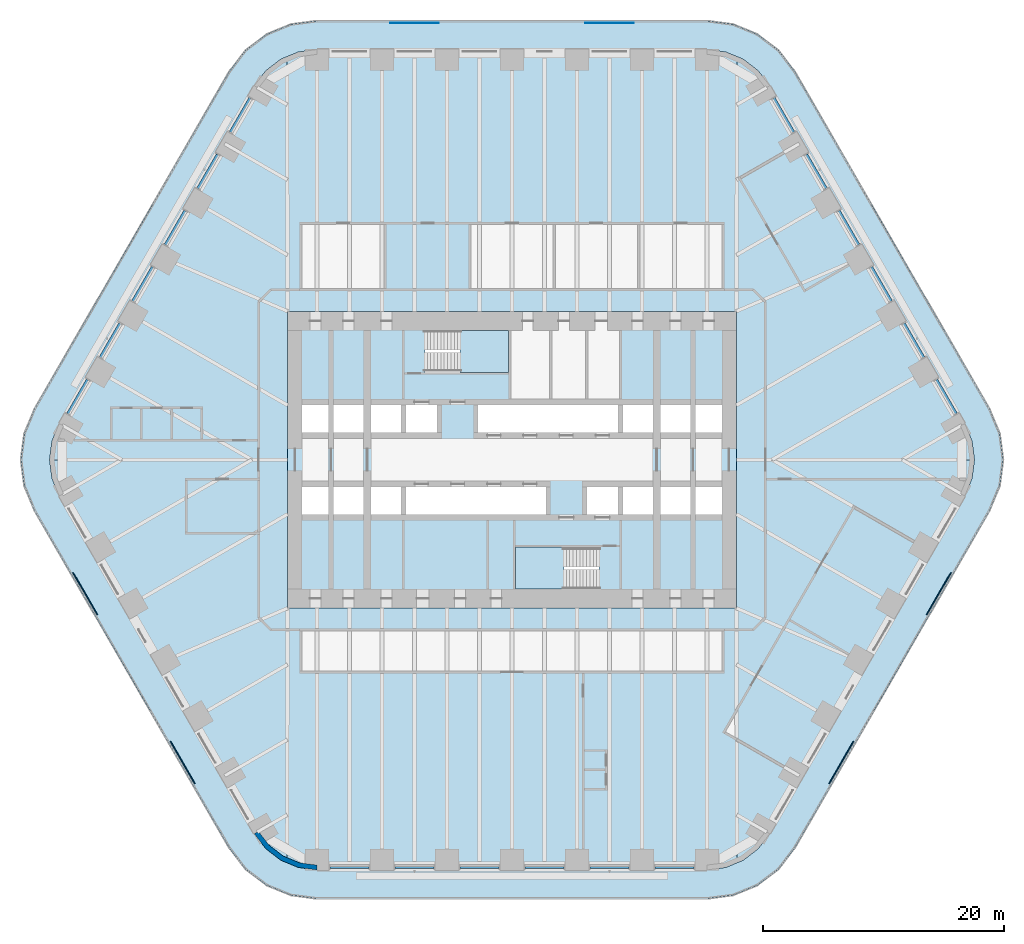
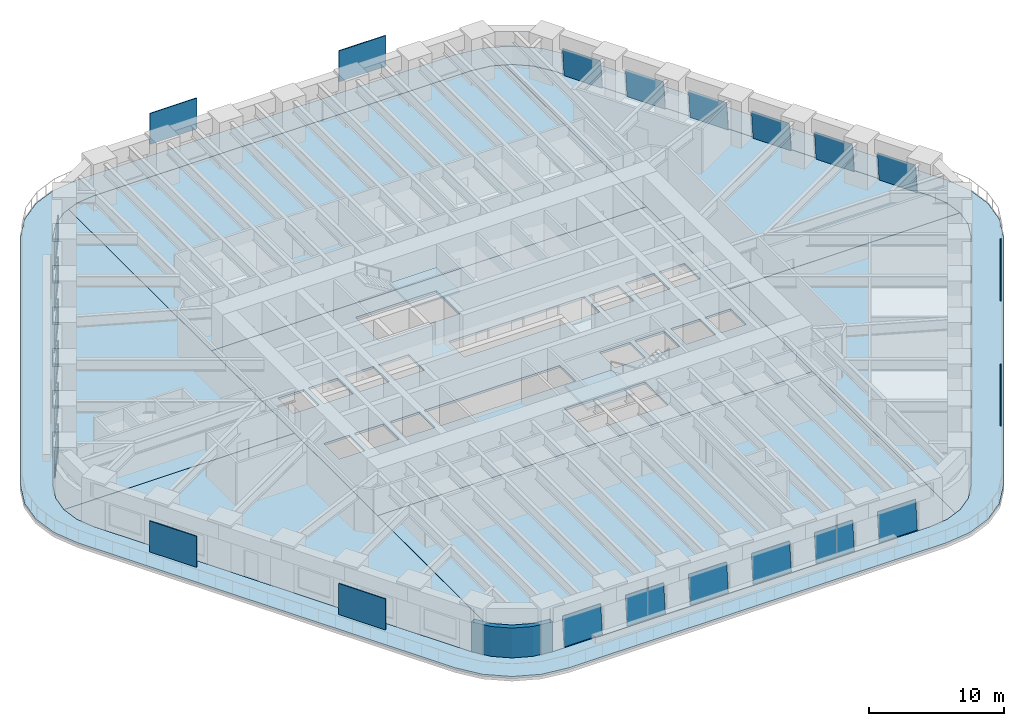
# One storey, part 15 of 23: 24 plates, 10 slabs, 1 wall, 20 elements without a shape of their own.
"""IFC4 building model written with IfcOpenShell, lengths in metres."""

from ifc_helpers import new_model, si_unit, direction, frame, origin, origin_2d, place, context, subcontext, project, spatial, polyline, rectangle, outline, extrude, material, layer, layer_set, type_object, element, aggregate, save


model = new_model("IFC4")

# Units and contexts
model_context = context("Model", 3, precision=1e-05, world=origin(), true_north=direction((0.0, 1.0)))
body_context = subcontext(model_context, "Body", "Model", "MODEL_VIEW")
ifc_project = project(units=[si_unit("LENGTHUNIT", "METRE"), si_unit("AREAUNIT", "SQUARE_METRE"), si_unit("VOLUMEUNIT", "CUBIC_METRE"), si_unit("PLANEANGLEUNIT", "RADIAN"), si_unit("MASSUNIT", "GRAM", prefix="KILO")], contexts=[model_context])

# Site, building, storey
site_placement = place(None, origin())
site = spatial("IfcSite", under=ifc_project, at=site_placement, CompositionType="ELEMENT")
building_placement = place(site_placement, origin())
building = spatial("IfcBuilding", under=site, at=building_placement, Name="Tarfa Lantern Tower", CompositionType="ELEMENT")
storey_placement = place(building_placement, frame((0.0, 0.0, 52.89990234375)))
storey = spatial("IfcBuildingStorey", under=building, at=storey_placement, Name="L11", CompositionType="ELEMENT", Elevation=52.89990234375)

# Slab
ifc_material_1 = material(Name="Concrete C40/50", Category="concrete")
ifc_layer_1 = layer(ifc_material_1, 0.199951171875)
ifc_layer_set_1 = layer_set([ifc_layer_1], Name="BS2 BALCONY SLAB 200")
slab_type_1 = type_object("IfcSlabType", Name="BS2 BALCONY SLAB 200", PredefinedType="FLOOR", material=ifc_layer_set_1)
slab_1_placement = place(storey_placement, frame((0.0, 0.0, -0.199951171875)))
element("IfcSlab", 1, at=slab_1_placement, inside=storey, type_object=slab_type_1, Name="Balcony L11", PredefinedType="FLOOR", context=body_context, shape_type="SweptSolid", body=[
    extrude(outline(polyline([(39.606201171875, 4.199951171875), (23.4404296875, 32.199951171875), (22.10546875, 33.939697265625), (20.36572265625, 35.274658203125), (18.33984375, 36.11376953125), (16.165771484375, 36.39990234375), (-16.165771484375, 36.39990234375), (-18.33984375, 36.11376953125), (-20.36572265625, 35.274658203125), (-22.10546875, 33.939697265625), (-23.4404296875, 32.199951171875), (-39.606201171875, 4.199951171875), (-40.4453125, 2.174072265625), (-40.731689453125, 0.0), (-40.4453125, -2.174072265625), (-39.606201171875, -4.199951171875), (-23.4404296875, -32.199951171875), (-22.10546875, -33.939697265625), (-20.36572265625, -35.274658203125), (-18.33984375, -36.11376953125), (-16.165771484375, -36.39990234375), (16.165771484375, -36.39990234375), (18.33984375, -36.11376953125), (20.36572265625, -35.274658203125), (22.10546875, -33.939697265625), (23.4404296875, -32.199951171875), (39.606201171875, -4.199951171875), (40.4453125, -2.174072265625), (40.731689453125, 0.0), (40.4453125, 2.174072265625), (39.606201171875, 4.199951171875)]), holes=[polyline([(37.52783203125, 3.0), (21.362060546875, 31.0), (20.408447265625, 32.24267578125), (19.165771484375, 33.196044921875), (17.71875, 33.795654296875), (16.165771484375, 34.0), (-16.165771484375, 34.0), (-17.71875, 33.795654296875), (-19.165771484375, 33.196044921875), (-20.408447265625, 32.24267578125), (-21.362060546875, 31.0), (-37.52783203125, 3.0), (-38.127197265625, 1.552978515625), (-38.33154296875, 0.0), (-38.127197265625, -1.552978515625), (-37.52783203125, -3.0), (-21.362060546875, -31.0), (-20.408447265625, -32.24267578125), (-19.165771484375, -33.196044921875), (-17.71875, -33.795654296875), (-16.165771484375, -34.0), (16.165771484375, -34.0), (17.71875, -33.795654296875), (19.165771484375, -33.196044921875), (20.408447265625, -32.24267578125), (21.362060546875, -31.0), (37.52783203125, -3.0), (38.127197265625, -1.552978515625), (38.33154296875, 0.0), (38.127197265625, 1.552978515625), (37.52783203125, 3.0)])]), origin(), (0.0, 0.0, 1.0), 0.199951171875),
])

# Curtain wall, plate
ifc_material_2 = material(Name="Aluminium framed curtain wall", Category="aluminium")
curtain_wall_type = type_object("IfcCurtainWallType", Name="CW1 CANTED GLAZING LOW ZONE 2700", PredefinedType="USERDEFINED", material=ifc_material_2)
curtain_wall_1_placement = place(storey_placement, origin())
curtain_wall_1 = element("IfcCurtainWall", 2, at=curtain_wall_1_placement, inside=storey, type_object=curtain_wall_type, Name="CW1 NE L11", ObjectType="CURTAIN WALL", PredefinedType="USERDEFINED")
ifc_material_3 = material(Name="Laminated double glazing", Category="glass")
ifc_layer_2 = layer(ifc_material_3, 0.028076171875)
ifc_layer_set_2 = layer_set([ifc_layer_2], Name="CWP1 DOUBLE GLAZED PANEL")
plate_type_1 = type_object("IfcPlateType", Name="CWP1 DOUBLE GLAZED PANEL", PredefinedType="CURTAIN_PANEL", material=ifc_layer_set_2)
plate_1_placement = place(storey_placement, frame((36.90869140625, 3.872314453125, 0.0), z_axis=(0.862338266797, 0.497864384763, 0.09221587717), x_axis=(-0.499995082658, 0.86602824279, 2.978908e-06)))
plate_1 = element("IfcPlate", 3, at=plate_1_placement, type_object=plate_type_1, Name="CW1 panel 1.1", PredefinedType="CURTAIN_PANEL", context=body_context, shape_type="SweptSolid", body=[
    extrude(outline(polyline([(0.0, 0.0), (3.258639560562134, 0.0), (3.2585208536427297, 2.646275738901332), (3.3621925729925773e-06, 2.646295235988971), (0.0, 0.0)])), origin(), (0.0, 0.0, -1.0), 0.028076171875),
])
aggregate(curtain_wall_1, [plate_1])

curtain_wall_2_placement = place(storey_placement, origin())
curtain_wall_2 = element("IfcCurtainWall", 4, at=curtain_wall_2_placement, inside=storey, type_object=curtain_wall_type, Name="CW1 NE L11", ObjectType="CURTAIN WALL", PredefinedType="USERDEFINED")
plate_2_placement = place(storey_placement, frame((34.21435546875, 8.5390625, 0.0), z_axis=(0.862325290636, 0.497894194109, 0.092176269198), x_axis=(-0.500022939057, 0.866012159509, 0.0)))
plate_2 = element("IfcPlate", 5, at=plate_2_placement, type_object=plate_type_1, Name="CW1 panel 1.1", PredefinedType="CURTAIN_PANEL", context=body_context, shape_type="SweptSolid", body=[
    extrude(outline(polyline([(0.0, 0.0), (3.2586395622623687, 0.0), (3.2585208519425555, 2.6462757409948594), (-0.0001187103198132533, 2.6462757409948594), (0.0, 0.0)])), origin(), (0.0, 0.0, -1.0), 0.028076171875),
])
aggregate(curtain_wall_2, [plate_2])

curtain_wall_3_placement = place(storey_placement, origin())
curtain_wall_3 = element("IfcCurtainWall", 6, at=curtain_wall_3_placement, inside=storey, type_object=curtain_wall_type, Name="CW1 NE L11", ObjectType="CURTAIN WALL", PredefinedType="USERDEFINED")
plate_3_placement = place(storey_placement, frame((31.52001953125, 13.20556640625, 0.0), z_axis=(0.862341934097, 0.49786650205, 0.092170140692), x_axis=(-0.499994605049, 0.866028518533, -2.977555e-06)))
plate_3 = element("IfcPlate", 7, at=plate_3_placement, type_object=plate_type_1, Name="CW1 panel 1.1", PredefinedType="CURTAIN_PANEL", context=body_context, shape_type="SweptSolid", body=[
    extrude(outline(polyline([(0.0, 0.0), (3.258517491508472, 2.7755575615628914e-17), (3.2587164564684317, 2.646283977845527), (7.689596458644864e-05, 2.6462644896978658), (0.0, 0.0)])), origin(), (0.0, 0.0, -1.0), 0.028076171875),
])
aggregate(curtain_wall_3, [plate_3])

curtain_wall_4_placement = place(storey_placement, origin())
curtain_wall_4 = element("IfcCurtainWall", 8, at=curtain_wall_4_placement, inside=storey, type_object=curtain_wall_type, Name="CW1 NE L11", ObjectType="CURTAIN WALL", PredefinedType="USERDEFINED")
plate_4_placement = place(storey_placement, frame((28.82568359375, 17.872314453125, 0.0), z_axis=(0.862338266797, 0.497864384763, 0.09221587717), x_axis=(-0.499994604812, 0.86602851867, -2.97902e-06)))
plate_4 = element("IfcPlate", 9, at=plate_4_placement, type_object=plate_type_1, Name="CW1 panel 1.1", PredefinedType="CURTAIN_PANEL", context=body_context, shape_type="SweptSolid", body=[
    extrude(outline(polyline([(0.0, 0.0), (3.2585174915084862, -2.7755575615628914e-17), (3.2585050197979823, 2.646295235961718), (-0.000134540705819584, 2.646275738143688), (0.0, 0.0)])), origin(), (0.0, 0.0, -1.0), 0.028076171875),
])
aggregate(curtain_wall_4, [plate_4])

curtain_wall_5_placement = place(storey_placement, origin())
curtain_wall_5 = element("IfcCurtainWall", 10, at=curtain_wall_5_placement, inside=storey, type_object=curtain_wall_type, Name="CW1 NE L11", ObjectType="CURTAIN WALL", PredefinedType="USERDEFINED")
plate_5_placement = place(storey_placement, frame((26.13134765625, 22.5390625, 0.0), z_axis=(0.862338266797, 0.497864384763, 0.09221587717), x_axis=(-0.499994604812, 0.86602851867, -2.97902e-06)))
plate_5 = element("IfcPlate", 11, at=plate_5_placement, type_object=plate_type_1, Name="CW1 panel 1.1", PredefinedType="CURTAIN_PANEL", context=body_context, shape_type="SweptSolid", body=[
    extrude(outline(polyline([(0.0, 0.0), (3.2585174915084862, -2.7755575615628914e-17), (3.2585050197979823, 2.646295235961718), (-0.000134540705819584, 2.646275738143688), (0.0, 0.0)])), origin(), (0.0, 0.0, -1.0), 0.028076171875),
])
aggregate(curtain_wall_5, [plate_5])

curtain_wall_6_placement = place(storey_placement, origin())
curtain_wall_6 = element("IfcCurtainWall", 12, at=curtain_wall_6_placement, inside=storey, type_object=curtain_wall_type, Name="CW1 NE L11", ObjectType="CURTAIN WALL", PredefinedType="USERDEFINED")
plate_6_placement = place(storey_placement, frame((23.437255859375, 27.20556640625, 0.0), z_axis=(0.862341934097, 0.49786650205, 0.092170140692), x_axis=(-0.499995082421, 0.866028242926, 2.977443e-06)))
plate_6 = element("IfcPlate", 13, at=plate_6_placement, type_object=plate_type_1, Name="CW1 panel 1.1", PredefinedType="CURTAIN_PANEL", context=body_context, shape_type="SweptSolid", body=[
    extrude(outline(polyline([(0.0, 0.0), (3.2586395605621195, -2.7755575615628914e-17), (3.2587322823927347, 2.64626448919067), (0.0002147909425344405, 2.6462839766083026), (0.0, 0.0)])), origin(), (0.0, 0.0, -1.0), 0.028076171875),
])
aggregate(curtain_wall_6, [plate_6])

curtain_wall_7_placement = place(storey_placement, origin())
curtain_wall_7 = element("IfcCurtainWall", 14, at=curtain_wall_7_placement, inside=storey, type_object=curtain_wall_type, Name="CW1 NW L11", ObjectType="CURTAIN WALL", PredefinedType="USERDEFINED")
plate_7_placement = place(storey_placement, frame((-21.807861328125, 30.027587890625, 0.0), z_axis=(-0.862341934097, 0.49786650205, 0.092170140692), x_axis=(-0.499995082421, -0.866028242926, -2.977443e-06)))
plate_7 = element("IfcPlate", 15, at=plate_7_placement, type_object=plate_type_1, Name="CW1 panel 1.1", PredefinedType="CURTAIN_PANEL", context=body_context, shape_type="SweptSolid", body=[
    extrude(outline(polyline([(0.0, 0.0), (3.2586395605621195, 2.7755575615628914e-17), (3.2584247696195847, 2.6462839766083026), (-9.272183061532521e-05, 2.64626448919067), (0.0, 0.0)])), origin(), (0.0, 0.0, -1.0), 0.028076171875),
])
aggregate(curtain_wall_7, [plate_7])

curtain_wall_8_placement = place(storey_placement, origin())
curtain_wall_8 = element("IfcCurtainWall", 16, at=curtain_wall_8_placement, inside=storey, type_object=curtain_wall_type, Name="CW1 NW L11", ObjectType="CURTAIN WALL", PredefinedType="USERDEFINED")
plate_8_placement = place(storey_placement, frame((-24.502197265625, 25.361083984375, 0.0), z_axis=(-0.862338266797, 0.497864384763, 0.09221587717), x_axis=(-0.499994604812, -0.86602851867, 2.97902e-06)))
plate_8 = element("IfcPlate", 17, at=plate_8_placement, type_object=plate_type_1, Name="CW1 panel 1.1", PredefinedType="CURTAIN_PANEL", context=body_context, shape_type="SweptSolid", body=[
    extrude(outline(polyline([(0.0, 0.0), (3.2585174915084862, 2.7755575615628914e-17), (3.2586520322143055, 2.646275738143688), (1.2471710504126e-05, 2.646295235961718), (0.0, 0.0)])), origin(), (0.0, 0.0, -1.0), 0.028076171875),
])
aggregate(curtain_wall_8, [plate_8])

curtain_wall_9_placement = place(storey_placement, origin())
curtain_wall_9 = element("IfcCurtainWall", 18, at=curtain_wall_9_placement, inside=storey, type_object=curtain_wall_type, Name="CW1 NW L11", ObjectType="CURTAIN WALL", PredefinedType="USERDEFINED")
plate_9_placement = place(storey_placement, frame((-27.196533203125, 20.6943359375, 0.0), z_axis=(-0.862338266797, 0.497864384763, 0.09221587717), x_axis=(-0.499994604812, -0.86602851867, 2.97902e-06)))
plate_9 = element("IfcPlate", 19, at=plate_9_placement, type_object=plate_type_1, Name="CW1 panel 1.1", PredefinedType="CURTAIN_PANEL", context=body_context, shape_type="SweptSolid", body=[
    extrude(outline(polyline([(0.0, 0.0), (3.2585174915084862, 2.7755575615628914e-17), (3.2586520322143055, 2.646275738143688), (1.2471710504126e-05, 2.646295235961718), (0.0, 0.0)])), origin(), (0.0, 0.0, -1.0), 0.028076171875),
])
aggregate(curtain_wall_9, [plate_9])

curtain_wall_10_placement = place(storey_placement, origin())
curtain_wall_10 = element("IfcCurtainWall", 20, at=curtain_wall_10_placement, inside=storey, type_object=curtain_wall_type, Name="CW1 NW L11", ObjectType="CURTAIN WALL", PredefinedType="USERDEFINED")
plate_10_placement = place(storey_placement, frame((-29.890869140625, 16.027587890625, 0.0), z_axis=(-0.862341934097, 0.49786650205, 0.092170140692), x_axis=(-0.499994605049, -0.866028518533, 2.977555e-06)))
plate_10 = element("IfcPlate", 21, at=plate_10_placement, type_object=plate_type_1, Name="CW1 panel 1.1", PredefinedType="CURTAIN_PANEL", context=body_context, shape_type="SweptSolid", body=[
    extrude(outline(polyline([(0.0, 0.0), (3.258517491508472, -2.7755575615628914e-17), (3.258440595543886, 2.6462644896978658), (-0.00019896495995976314, 2.646283977845527), (0.0, 0.0)])), origin(), (0.0, 0.0, -1.0), 0.028076171875),
])
aggregate(curtain_wall_10, [plate_10])

curtain_wall_11_placement = place(storey_placement, origin())
curtain_wall_11 = element("IfcCurtainWall", 22, at=curtain_wall_11_placement, inside=storey, type_object=curtain_wall_type, Name="CW1 NW L11", ObjectType="CURTAIN WALL", PredefinedType="USERDEFINED")
plate_11_placement = place(storey_placement, frame((-32.5849609375, 11.361083984375, 0.0), z_axis=(-0.862325290636, 0.497894194109, 0.092176269198), x_axis=(-0.500022939057, -0.866012159509, 0.0)))
plate_11 = element("IfcPlate", 23, at=plate_11_placement, type_object=plate_type_1, Name="CW1 panel 1.1", PredefinedType="CURTAIN_PANEL", context=body_context, shape_type="SweptSolid", body=[
    extrude(outline(polyline([(0.0, 0.0), (3.2586395622623687, 0.0), (3.258758272582182, 2.6462757409948594), (0.0001187103198132533, 2.6462757409948594), (0.0, 0.0)])), origin(), (0.0, 0.0, -1.0), 0.028076171875),
])
aggregate(curtain_wall_11, [plate_11])

curtain_wall_12_placement = place(storey_placement, origin())
curtain_wall_12 = element("IfcCurtainWall", 24, at=curtain_wall_12_placement, inside=storey, type_object=curtain_wall_type, Name="CW1 NW L11", ObjectType="CURTAIN WALL", PredefinedType="USERDEFINED")
plate_12_placement = place(storey_placement, frame((-35.279296875, 6.6943359375, 0.0), z_axis=(-0.862338266797, 0.497864384763, 0.09221587717), x_axis=(-0.499995082658, -0.86602824279, -2.978908e-06)))
plate_12 = element("IfcPlate", 25, at=plate_12_placement, type_object=plate_type_1, Name="CW1 panel 1.1", PredefinedType="CURTAIN_PANEL", context=body_context, shape_type="SweptSolid", body=[
    extrude(outline(polyline([(0.0, 0.0), (3.258639560562134, 0.0), (3.258636198369561, 2.646295235988971), (0.00011870691940396534, 2.646275738901332), (0.0, 0.0)])), origin(), (0.0, 0.0, -1.0), 0.028076171875),
])
aggregate(curtain_wall_12, [plate_12])

curtain_wall_13_placement = place(storey_placement, origin())
curtain_wall_13 = element("IfcCurtainWall", 26, at=curtain_wall_13_placement, inside=storey, type_object=curtain_wall_type, Name="CW1 S L11", ObjectType="CURTAIN WALL", PredefinedType="USERDEFINED")
plate_13_placement = place(storey_placement, frame((-15.100830078125, -33.89990234375, 0.0), z_axis=(0.0, -0.995743653657, 0.092166025202), x_axis=(1.0, 0.0, 0.0)))
plate_13 = element("IfcPlate", 27, at=plate_13_placement, type_object=plate_type_1, Name="CW1 panel 1.1", PredefinedType="CURTAIN_PANEL", context=body_context, shape_type="SweptSolid", body=[
    extrude(outline(polyline([(0.0, 0.0), (3.258544921875, 0.0), (3.258544921875, 2.6462732209712594), (0.0, 2.6462732209712594), (0.0, 0.0)])), origin(), (0.0, 0.0, -1.0), 0.028076171875),
])
aggregate(curtain_wall_13, [plate_13])

curtain_wall_14_placement = place(storey_placement, origin())
curtain_wall_14 = element("IfcCurtainWall", 28, at=curtain_wall_14_placement, inside=storey, type_object=curtain_wall_type, Name="CW1 S L11", ObjectType="CURTAIN WALL", PredefinedType="USERDEFINED")
plate_14_placement = place(storey_placement, frame((-9.712158203125, -33.89990234375, 0.0), z_axis=(0.0, -0.995743653657, 0.092166025202), x_axis=(1.0, 0.0, 0.0)))
plate_14 = element("IfcPlate", 29, at=plate_14_placement, type_object=plate_type_1, Name="CW1 panel 1.1", PredefinedType="CURTAIN_PANEL", context=body_context, shape_type="SweptSolid", body=[
    extrude(outline(polyline([(0.0, 0.0), (3.258544921875, 0.0), (3.258544921875, 2.6462732209712594), (0.0, 2.6462732209712594), (0.0, 0.0)])), origin(), (0.0, 0.0, -1.0), 0.028076171875),
])
aggregate(curtain_wall_14, [plate_14])

curtain_wall_15_placement = place(storey_placement, origin())
curtain_wall_15 = element("IfcCurtainWall", 30, at=curtain_wall_15_placement, inside=storey, type_object=curtain_wall_type, Name="CW1 S L11", ObjectType="CURTAIN WALL", PredefinedType="USERDEFINED")
plate_15_placement = place(storey_placement, frame((-4.323486328125, -33.89990234375, 0.0), z_axis=(0.0, -0.995743653657, 0.092166025202), x_axis=(1.0, 0.0, 0.0)))
plate_15 = element("IfcPlate", 31, at=plate_15_placement, type_object=plate_type_1, Name="CW1 panel 1.1", PredefinedType="CURTAIN_PANEL", context=body_context, shape_type="SweptSolid", body=[
    extrude(outline(polyline([(0.0, 0.0), (3.258544921875, 0.0), (3.258544921875, 2.6462732209712594), (0.0, 2.6462732209712594), (0.0, 0.0)])), origin(), (0.0, 0.0, -1.0), 0.028076171875),
])
aggregate(curtain_wall_15, [plate_15])

curtain_wall_16_placement = place(storey_placement, origin())
curtain_wall_16 = element("IfcCurtainWall", 32, at=curtain_wall_16_placement, inside=storey, type_object=curtain_wall_type, Name="CW1 S L11", ObjectType="CURTAIN WALL", PredefinedType="USERDEFINED")
plate_16_placement = place(storey_placement, frame((1.06494140625, -33.89990234375, 0.0), z_axis=(0.0, -0.995743653657, 0.092166025202), x_axis=(1.0, 0.0, 0.0)))
plate_16 = element("IfcPlate", 33, at=plate_16_placement, type_object=plate_type_1, Name="CW1 panel 1.1", PredefinedType="CURTAIN_PANEL", context=body_context, shape_type="SweptSolid", body=[
    extrude(outline(polyline([(0.0, 0.0), (3.258544921875, 0.0), (3.258544921875, 2.6462732209712594), (0.0, 2.6462732209712594), (0.0, 0.0)])), origin(), (0.0, 0.0, -1.0), 0.028076171875),
])
aggregate(curtain_wall_16, [plate_16])

curtain_wall_17_placement = place(storey_placement, origin())
curtain_wall_17 = element("IfcCurtainWall", 34, at=curtain_wall_17_placement, inside=storey, type_object=curtain_wall_type, Name="CW1 S L11", ObjectType="CURTAIN WALL", PredefinedType="USERDEFINED")
plate_17_placement = place(storey_placement, frame((6.45361328125, -33.89990234375, 0.0), z_axis=(0.0, -0.995743653657, 0.092166025202), x_axis=(1.0, 0.0, 0.0)))
plate_17 = element("IfcPlate", 35, at=plate_17_placement, type_object=plate_type_1, Name="CW1 panel 1.1", PredefinedType="CURTAIN_PANEL", context=body_context, shape_type="SweptSolid", body=[
    extrude(outline(polyline([(0.0, 0.0), (3.258544921875, 0.0), (3.258544921875, 2.6462732209712594), (0.0, 2.6462732209712594), (0.0, 0.0)])), origin(), (0.0, 0.0, -1.0), 0.028076171875),
])
aggregate(curtain_wall_17, [plate_17])

curtain_wall_18_placement = place(storey_placement, origin())
curtain_wall_18 = element("IfcCurtainWall", 36, at=curtain_wall_18_placement, inside=storey, type_object=curtain_wall_type, Name="CW1 S L11", ObjectType="CURTAIN WALL", PredefinedType="USERDEFINED")
plate_18_placement = place(storey_placement, frame((11.84228515625, -33.89990234375, 0.0), z_axis=(0.0, -0.995743653657, 0.092166025202), x_axis=(1.0, 0.0, 0.0)))
plate_18 = element("IfcPlate", 37, at=plate_18_placement, type_object=plate_type_1, Name="CW1 panel 1.1", PredefinedType="CURTAIN_PANEL", context=body_context, shape_type="SweptSolid", body=[
    extrude(outline(polyline([(0.0, 0.0), (3.258544921875, 0.0), (3.258544921875, 2.6462732209712594), (0.0, 2.6462732209712594), (0.0, 0.0)])), origin(), (0.0, 0.0, -1.0), 0.028076171875),
])
aggregate(curtain_wall_18, [plate_18])

# Slabs
ifc_layer_3 = layer(ifc_material_1, 0.199951171875)
ifc_layer_set_3 = layer_set([ifc_layer_3], Name="FS1 FLOOR SLAB 200")
slab_type_2 = type_object("IfcSlabType", Name="FS1 FLOOR SLAB 200", PredefinedType="FLOOR", material=ifc_layer_set_3)
slab_2_placement = place(storey_placement, frame((0.0, 0.0, -0.199951171875)))
element("IfcSlab", 38, at=slab_2_placement, inside=storey, type_object=slab_type_2, Name="Floor slab L11", PredefinedType="FLOOR", context=body_context, shape_type="SweptSolid", body=[
    extrude(outline(polyline([(-18.60009765625, -12.300048828125), (18.60009765625, -12.300048828125), (18.60009765625, 12.300048828125), (-18.60009765625, 12.300048828125), (-18.60009765625, -12.300048828125)]), holes=[polyline([(-17.39990234375, 2.25), (-15.199951171875, 2.25), (-15.199951171875, 4.550048828125), (-17.39990234375, 4.550048828125), (-17.39990234375, 2.25)]), polyline([(-14.800048828125, 2.25), (-12.300048828125, 2.25), (-12.300048828125, 4.550048828125), (-14.800048828125, 4.550048828125), (-14.800048828125, 2.25)]), polyline([(-11.699951171875, 2.25), (-9.199951171875, 2.25), (-9.199951171875, 4.550048828125), (-11.699951171875, 4.550048828125), (-11.699951171875, 2.25)]), polyline([(-8.800048828125, 2.25), (-6.199951171875, 2.25), (-6.199951171875, 4.550048828125), (-8.800048828125, 4.550048828125), (-8.800048828125, 2.25)]), polyline([(-2.800048828125, 2.25), (8.800048828125, 2.25), (8.800048828125, 4.550048828125), (-2.800048828125, 4.550048828125), (-2.800048828125, 2.25)]), polyline([(9.199951171875, 2.25), (11.699951171875, 2.25), (11.699951171875, 4.550048828125), (9.199951171875, 4.550048828125), (9.199951171875, 2.25)]), polyline([(12.300048828125, 2.25), (14.800048828125, 2.25), (14.800048828125, 4.550048828125), (12.300048828125, 4.550048828125), (12.300048828125, 2.25)]), polyline([(15.199951171875, 2.25), (17.39990234375, 2.25), (17.39990234375, 4.550048828125), (15.199951171875, 4.550048828125), (15.199951171875, 2.25)]), polyline([(17.39990234375, -2.25), (15.199951171875, -2.25), (15.199951171875, -4.550048828125), (17.39990234375, -4.550048828125), (17.39990234375, -2.25)]), polyline([(14.800048828125, -2.25), (12.300048828125, -2.25), (12.300048828125, -4.550048828125), (14.800048828125, -4.550048828125), (14.800048828125, -2.25)]), polyline([(11.699951171875, -2.25), (9.199951171875, -2.25), (9.199951171875, -4.550048828125), (11.699951171875, -4.550048828125), (11.699951171875, -2.25)]), polyline([(8.800048828125, -2.25), (6.199951171875, -2.25), (6.199951171875, -4.550048828125), (8.800048828125, -4.550048828125), (8.800048828125, -2.25)]), polyline([(2.800048828125, -2.25), (-8.800048828125, -2.25), (-8.800048828125, -4.550048828125), (2.800048828125, -4.550048828125), (2.800048828125, -2.25)]), polyline([(-9.199951171875, -2.25), (-11.699951171875, -2.25), (-11.699951171875, -4.550048828125), (-9.199951171875, -4.550048828125), (-9.199951171875, -2.25)]), polyline([(-12.300048828125, -2.25), (-14.800048828125, -2.25), (-14.800048828125, -4.550048828125), (-12.300048828125, -4.550048828125), (-12.300048828125, -2.25)]), polyline([(-15.199951171875, -2.25), (-17.39990234375, -2.25), (-17.39990234375, -4.550048828125), (-15.199951171875, -4.550048828125), (-15.199951171875, -2.25)]), polyline([(-7.199951171875, 7.25), (-0.300048828125, 7.25), (-0.300048828125, 10.699951171875), (-7.199951171875, 10.699951171875), (-7.199951171875, 7.25)]), polyline([(7.199951171875, -7.25), (0.300048828125, -7.25), (0.300048828125, -10.699951171875), (7.199951171875, -10.699951171875), (7.199951171875, -7.25)])]), origin(), (0.0, 0.0, 1.0), 0.199951171875),
])
slab_3_placement = place(storey_placement, frame((0.0, 0.0, -0.199951171875)))
element("IfcSlab", 39, at=slab_3_placement, inside=storey, type_object=slab_type_2, Name="Floor slab L11 NE bay", PredefinedType="FLOOR", context=body_context, shape_type="SweptSolid", body=[
    extrude(outline(polyline([(37.52587890625, 2.9990234375), (21.3603515625, 30.998779296875), (20.406982421875, 32.2412109375), (19.164794921875, 33.1943359375), (18.64697265625, 33.408935546875), (18.60205078125, 12.300048828125), (18.60205078125, 0.001953125), (38.329345703125, 0.001953125), (38.125244140625, 1.552490234375), (37.52587890625, 2.9990234375)])), origin(), (0.0, 0.0, 1.0), 0.199951171875),
])
slab_4_placement = place(storey_placement, frame((0.0, 0.0, -0.199951171875)))
element("IfcSlab", 40, at=slab_4_placement, inside=storey, type_object=slab_type_2, Name="Floor slab L11 N bay", PredefinedType="FLOOR", context=body_context, shape_type="SweptSolid", body=[
    extrude(outline(polyline([(-18.597900390625, 12.302001953125), (18.597900390625, 12.302001953125), (18.64306640625, 33.41064453125), (17.71826171875, 33.793701171875), (16.165771484375, 33.998046875), (-16.165771484375, 33.998046875), (-17.71826171875, 33.793701171875), (-18.64306640625, 33.41064453125), (-18.597900390625, 12.302001953125)])), origin(), (0.0, 0.0, 1.0), 0.199951171875),
])
slab_5_placement = place(storey_placement, frame((0.0, 0.0, -0.199951171875)))
element("IfcSlab", 41, at=slab_5_placement, inside=storey, type_object=slab_type_2, Name="Floor slab L11 NW bay", PredefinedType="FLOOR", context=body_context, shape_type="SweptSolid", body=[
    extrude(outline(polyline([(-18.60205078125, 0.001953125), (-18.60205078125, 12.300048828125), (-18.64697265625, 33.408935546875), (-19.164794921875, 33.1943359375), (-20.406982421875, 32.2412109375), (-21.3603515625, 30.998779296875), (-37.52587890625, 2.9990234375), (-38.125244140625, 1.552490234375), (-38.329345703125, 0.001953125), (-18.60205078125, 0.001953125)])), origin(), (0.0, 0.0, 1.0), 0.199951171875),
])
slab_6_placement = place(storey_placement, frame((0.0, 0.0, -0.199951171875)))
element("IfcSlab", 42, at=slab_6_placement, inside=storey, type_object=slab_type_2, Name="Floor slab L11 SW bay", PredefinedType="FLOOR", context=body_context, shape_type="SweptSolid", body=[
    extrude(outline(polyline([(-18.60205078125, -12.300048828125), (-18.60205078125, -0.001953125), (-38.329345703125, -0.001953125), (-38.125244140625, -1.552490234375), (-37.52587890625, -2.9990234375), (-21.3603515625, -30.998779296875), (-20.406982421875, -32.2412109375), (-19.164794921875, -33.1943359375), (-18.64697265625, -33.408935546875), (-18.60205078125, -12.300048828125)])), origin(), (0.0, 0.0, 1.0), 0.199951171875),
])
slab_7_placement = place(storey_placement, frame((0.0, 0.0, -0.199951171875)))
element("IfcSlab", 43, at=slab_7_placement, inside=storey, type_object=slab_type_2, Name="Floor slab L11 S bay", PredefinedType="FLOOR", context=body_context, shape_type="SweptSolid", body=[
    extrude(outline(polyline([(18.597900390625, -12.302001953125), (-18.597900390625, -12.302001953125), (-18.64306640625, -33.41064453125), (-17.71826171875, -33.793701171875), (-16.165771484375, -33.998046875), (16.165771484375, -33.998046875), (17.71826171875, -33.793701171875), (18.64306640625, -33.41064453125), (18.597900390625, -12.302001953125)])), origin(), (0.0, 0.0, 1.0), 0.199951171875),
])
slab_8_placement = place(storey_placement, frame((0.0, 0.0, -0.199951171875)))
element("IfcSlab", 44, at=slab_8_placement, inside=storey, type_object=slab_type_2, Name="Floor slab L11 SE bay", PredefinedType="FLOOR", context=body_context, shape_type="SweptSolid", body=[
    extrude(outline(polyline([(18.60205078125, -0.001953125), (18.60205078125, -12.300048828125), (18.64697265625, -33.408935546875), (19.164794921875, -33.1943359375), (20.406982421875, -32.2412109375), (21.3603515625, -30.998779296875), (37.52587890625, -2.9990234375), (38.125244140625, -1.552490234375), (38.329345703125, -0.001953125), (18.60205078125, -0.001953125)])), origin(), (0.0, 0.0, 1.0), 0.199951171875),
])

# Plates
ifc_material_4 = material(Name="Perforated limestone screen", Category="masonry")
ifc_layer_4 = layer(ifc_material_4, 0.080078125)
ifc_layer_set_4 = layer_set([ifc_layer_4], Name="SC1 STONE SCREEN 80")
plate_type_2 = type_object("IfcPlateType", Name="SC1 STONE SCREEN 80", PredefinedType="USERDEFINED", material=ifc_layer_set_4)
for number, where, z_axis, x_axis, name in (
    (45, (8.0830078125, 36.199951171875, 1.2001953125), (0.0, 0.0, 1.0), (-1.0, 0.0, 0.0), "Stone screen N 1"),
    (46, (-8.0830078125, 36.199951171875, 1.2001953125), (0.0, 0.0, 1.0), (-1.0, 0.0, 0.0), "Stone screen N 2"),
    (47, (-35.3916015625, -11.10009765625, 1.2001953125), (0.0, 0.0, 1.0), (0.5, -0.866025403784, 0.0), "Stone screen SW 1"),
    (48, (-27.30859375, -25.10009765625, 1.2001953125), (0.0, 0.0, 1.0), (0.5, -0.866025403784, 0.0), "Stone screen SW 2"),
    (49, (27.30859375, -25.10009765625, 1.2001953125), (0.0, 0.0, 1.0), (0.5, 0.866025403784, 0.0), "Stone screen SE 1"),
    (50, (35.3916015625, -11.10009765625, 1.2001953125), (0.0, 0.0, 1.0), (0.5, 0.866025403784, 0.0), "Stone screen SE 2"),
):
    element("IfcPlate", number, at=place(storey_placement, frame(where, z_axis=z_axis, x_axis=x_axis)), inside=storey, type_object=plate_type_2, Name=name, ObjectType="SCREEN", PredefinedType="USERDEFINED", context=body_context, shape_type="SweptSolid", body=[
        extrude(rectangle(XDim=4.0, YDim=0.080078125, at=origin_2d()), origin(), (0.0, 0.0, 1.0), 2.800048828125),
    ])

# Stair, slab
stair_type = type_object("IfcStairType", Name="ST-T10 HALF-TURN STAIR 4200 RISE", PredefinedType="HALF_TURN_STAIR", material=ifc_material_1)
stair_1_placement = place(storey_placement, origin())
stair_1 = element("IfcStair", 51, at=stair_1_placement, inside=storey, type_object=stair_type, Name="Stair ST1", PredefinedType="HALF_TURN_STAIR")
ifc_layer_5 = layer(ifc_material_1, 0.199951171875)
ifc_layer_set_5 = layer_set([ifc_layer_5], Name="SL1 STAIR LANDING 200")
slab_type_3 = type_object("IfcSlabType", Name="SL1 STAIR LANDING 200", PredefinedType="LANDING", material=ifc_layer_set_5)
slab_9_placement = place(storey_placement, frame((0.0, 0.0, 1.900146484375)))
slab_9 = element("IfcSlab", 52, at=slab_9_placement, type_object=slab_type_3, Name="ST1 landing 1", PredefinedType="LANDING", context=body_context, shape_type="SweptSolid", body=[
    extrude(outline(polyline([(-4.320068359375, 7.25), (-0.300048828125, 7.25), (-0.300048828125, 10.699951171875), (-4.320068359375, 10.699951171875), (-4.320068359375, 7.25)])), origin(), (0.0, 0.0, 1.0), 0.199951171875),
])
aggregate(stair_1, [slab_9])

stair_2_placement = place(storey_placement, origin())
stair_2 = element("IfcStair", 53, at=stair_2_placement, inside=storey, type_object=stair_type, Name="Stair ST2", PredefinedType="HALF_TURN_STAIR")
slab_10_placement = place(storey_placement, frame((0.0, 0.0, 1.900146484375)))
slab_10 = element("IfcSlab", 54, at=slab_10_placement, type_object=slab_type_3, Name="ST2 landing 1", PredefinedType="LANDING", context=body_context, shape_type="SweptSolid", body=[
    extrude(outline(polyline([(4.320068359375, -7.25), (0.300048828125, -7.25), (0.300048828125, -10.699951171875), (4.320068359375, -10.699951171875), (4.320068359375, -7.25)])), origin(), (0.0, 0.0, 1.0), 0.199951171875),
])
aggregate(stair_2, [slab_10])

# Wall
ifc_material_5 = material(Name="Limestone cladding on blockwork", Category="masonry")
ifc_layer_6 = layer(ifc_material_5, 0.39990234375)
ifc_layer_set_6 = layer_set([ifc_layer_6], Name="EW2 CURVED STONE CORNER 400")
wall_type = type_object("IfcWallType", Name="EW2 CURVED STONE CORNER 400", PredefinedType="SOLIDWALL", material=ifc_layer_set_6)
wall_placement = place(storey_placement, origin())
element("IfcWall", 55, at=wall_placement, inside=storey, type_object=wall_type, Name="Stone corner SW-S", PredefinedType="SOLIDWALL", context=body_context, shape_type="SweptSolid", body=[
    extrude(outline(polyline([(-21.362060546875, -31.0), (-20.408447265625, -32.24267578125), (-19.165771484375, -33.196044921875), (-17.71875, -33.795654296875), (-16.165771484375, -34.0), (-16.165771484375, -33.60009765625), (-17.615234375, -33.4091796875), (-18.9658203125, -32.849853515625), (-20.12548828125, -31.959716796875), (-21.015625, -30.800048828125), (-21.362060546875, -31.0)])), origin(), (0.0, 0.0, 1.0), 2.7001953125),
])

save(model, "model.ifc")
